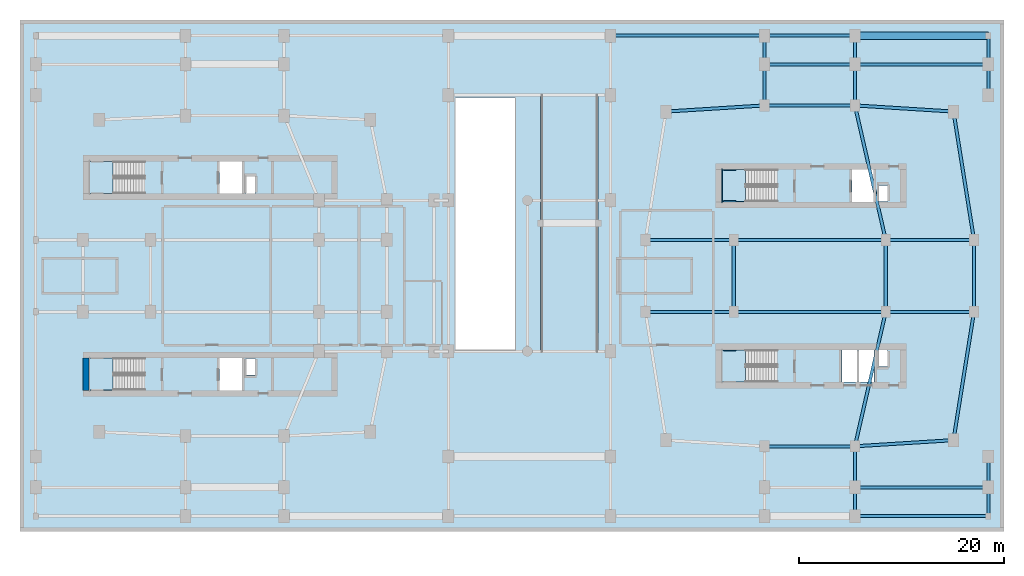
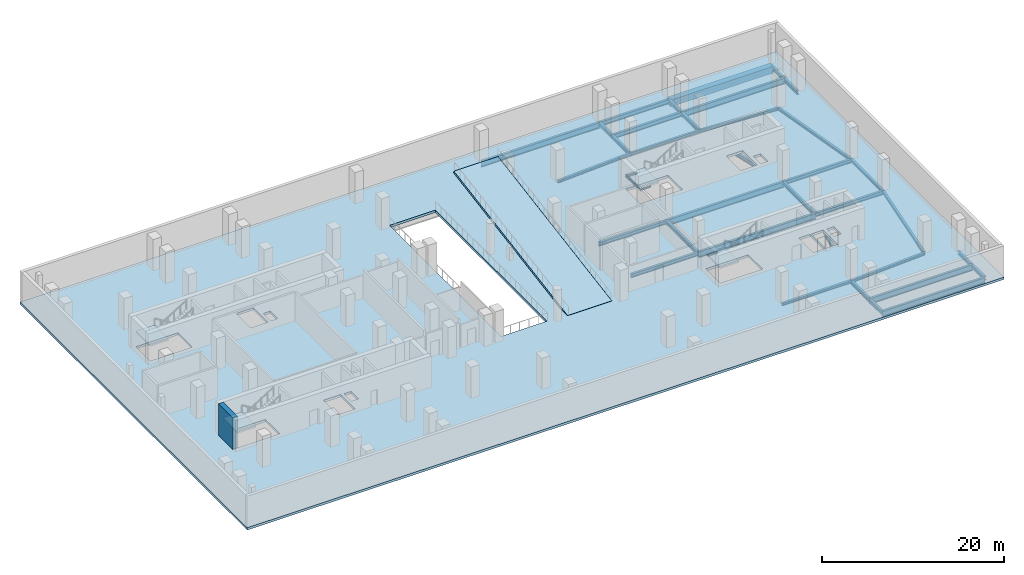
# One storey, part 3 of 13: 39 beams, 6 slabs, 1 wall, 4 elements without a shape of their own.
"""IFC4 building model written with IfcOpenShell, lengths in metres."""

import ifcopenshell
import ifcopenshell.guid

model = None  # the IFC model being written
_history = None  # IfcOwnerHistory: only IFC2X3 demands one
_inside = {}  # id of a spatial element -> (the spatial element, [elements in it])
_under = {}  # id of a project, library or spatial element -> (it, [spatial elements below it])
_declared = {}  # id of a project -> (the project, [libraries it declares])
_typed = {}  # id of a type object -> (the type object, [elements of that type])
_made_of = {}  # id of a material, layer set ... -> (it, [elements and type objects made of it])


def new_model(schema):
    """Start an empty IFC model of exactly this schema.

    Asked for "IFC4X3", IfcOpenShell would pick the latest addendum, in which some entities
    have other attributes; the version numbers below select the first issue.
    IFC2X3 requires an IfcOwnerHistory on every rooted entity: one is made here for all.
    """
    global model, _history
    if schema == "IFC4X3":
        model = ifcopenshell.file(schema_version=(4, 3, 0, 0))
    else:
        model = ifcopenshell.file(schema=schema)
    _inside.clear()
    _under.clear()
    _declared.clear()
    _typed.clear()
    _made_of.clear()
    _history = None
    if model.schema == "IFC2X3":
        org = make("IfcOrganization", Name="unknown")
        user = make(
            "IfcPersonAndOrganization",
            ThePerson=make("IfcPerson", FamilyName="unknown"),
            TheOrganization=org,
        )
        app = make(
            "IfcApplication",
            ApplicationDeveloper=org,
            Version="unknown",
            ApplicationFullName="unknown",
            ApplicationIdentifier="unknown",
        )
        _history = make(
            "IfcOwnerHistory",
            OwningUser=user,
            OwningApplication=app,
            ChangeAction="ADDED",
            CreationDate=0,
        )
    return model


def make(cls, **values):
    """One entity of the class cls with the attributes given. An attribute that is None is left unset."""
    return model.create_entity(
        cls, **{name: value for name, value in values.items() if value is not None}
    )


def rooted(cls, **values):
    """An entity with a GlobalId (a new one), such as an element, a storey or a relation."""
    return make(cls, GlobalId=ifcopenshell.guid.new(), OwnerHistory=_history, **values)


def si_unit(unit_type, name, prefix=None):
    """IfcSIUnit, for example si_unit("LENGTHUNIT", "METRE", prefix="MILLI")."""
    return make("IfcSIUnit", UnitType=unit_type, Prefix=prefix, Name=name)


def derived_unit(unit_type, elements):
    """IfcDerivedUnit: a product of units, each with its exponent."""
    return make(
        "IfcDerivedUnit",
        Elements=[
            make("IfcDerivedUnitElement", Unit=unit, Exponent=power)
            for unit, power in elements
        ],
        UnitType=unit_type,
    )


def assignment(units):
    """IfcUnitAssignment: the units of a project."""
    return None if units is None else make("IfcUnitAssignment", Units=units)


def point(xyz):
    """IfcCartesianPoint."""
    return None if xyz is None else make("IfcCartesianPoint", Coordinates=xyz)


def direction(xyz):
    """IfcDirection."""
    return None if xyz is None else make("IfcDirection", DirectionRatios=xyz)


def frame(location, z_axis=None, x_axis=None):
    """IfcAxis2Placement3D, a coordinate frame: its origin and axes. An axis left out is left unset."""
    return make(
        "IfcAxis2Placement3D",
        Location=point(location),
        Axis=direction(z_axis),
        RefDirection=direction(x_axis),
    )


def frame_2d(location, x_axis=None):
    """IfcAxis2Placement2D, a coordinate frame in the plane: its origin and x axis."""
    return make(
        "IfcAxis2Placement2D", Location=point(location), RefDirection=direction(x_axis)
    )


def origin():
    """The frame at (0, 0, 0) with its axes left unset."""
    return frame((0.0, 0.0, 0.0))


def origin_2d():
    """The frame at (0, 0) in the plane with its x axis left unset."""
    return frame_2d((0.0, 0.0))


def place(relative_to, where):
    """IfcLocalPlacement: puts the frame where relative to a parent placement (None: the world)."""
    return make(
        "IfcLocalPlacement", PlacementRelTo=relative_to, RelativePlacement=where
    )


def context(
    kind, dimensions, precision=None, world=None, true_north=None, identifier=None
):
    """IfcGeometricRepresentationContext, for example the 3D "Model" context."""
    return make(
        "IfcGeometricRepresentationContext",
        ContextIdentifier=identifier,
        ContextType=kind,
        CoordinateSpaceDimension=dimensions,
        Precision=precision,
        WorldCoordinateSystem=world,
        TrueNorth=true_north,
    )


def subcontext(parent, identifier, kind, view, scale=None):
    """IfcGeometricRepresentationSubContext, for example "Body" below "Model"."""
    return make(
        "IfcGeometricRepresentationSubContext",
        ContextIdentifier=identifier,
        ContextType=kind,
        ParentContext=parent,
        TargetScale=scale,
        TargetView=view,
    )


def project(units=None, contexts=None):
    """IfcProject with its units and contexts."""
    return rooted(
        "IfcProject",
        Name="project",
        RepresentationContexts=contexts,
        UnitsInContext=assignment(units),
    )


def spatial(cls, under=None, at=None, **own):
    """A site, building, storey or space (cls), placed at a placement, below another one or the project."""
    s = rooted(cls, ObjectPlacement=at, **own)
    if under is not None:
        _under.setdefault(under.id(), (under, []))[1].append(s)
    return s


def polyline(points):
    """IfcPolyline through the points."""
    return make("IfcPolyline", Points=[point(p) for p in points])


def profile(cls, at=None, kind="AREA", **sizes):
    """A parametric profile (cls). Its sizes go by their IFC names, for example OverallWidth=200.0."""
    return make(cls, ProfileType=kind, Position=at, **sizes)


def rectangle(**sizes):
    """IfcRectangleProfileDef."""
    return profile("IfcRectangleProfileDef", **sizes)


def i_section(**sizes):
    """IfcIShapeProfileDef."""
    return profile("IfcIShapeProfileDef", **sizes)


def outline(outer, holes=None, kind="AREA"):
    """IfcArbitraryClosedProfileDef: a profile drawn as a closed curve; with holes, ...WithVoids."""
    if holes is None:
        return make("IfcArbitraryClosedProfileDef", ProfileType=kind, OuterCurve=outer)
    return make(
        "IfcArbitraryProfileDefWithVoids",
        ProfileType=kind,
        OuterCurve=outer,
        InnerCurves=holes,
    )


def extrude(swept, where, along, depth):
    """IfcExtrudedAreaSolid: the profile swept, set in the frame where, extruded along a direction by depth."""
    return make(
        "IfcExtrudedAreaSolid",
        SweptArea=swept,
        Position=where,
        ExtrudedDirection=direction(along),
        Depth=depth,
    )


def shape(context_of_items, identifier, shape_type, items):
    """IfcShapeRepresentation: the items that make up one representation, for example the "Body"."""
    return make(
        "IfcShapeRepresentation",
        ContextOfItems=context_of_items,
        RepresentationIdentifier=identifier,
        RepresentationType=shape_type,
        Items=items,
    )


def material(Name=None, Category=None):
    """IfcMaterial."""
    return make("IfcMaterial", Name=Name, Category=Category)


def layer(
    of_material, thickness, ventilated=None, Name=None, Category=None, Priority=None
):
    """IfcMaterialLayer: one layer of a wall or slab, of a material (None: an air gap)."""
    return make(
        "IfcMaterialLayer",
        Material=of_material,
        LayerThickness=thickness,
        IsVentilated=ventilated,
        Name=Name,
        Category=Category,
        Priority=Priority,
    )


def layer_set(layers, Name=None):
    """IfcMaterialLayerSet."""
    return make("IfcMaterialLayerSet", MaterialLayers=layers, LayerSetName=Name)


def material_profile(
    of_material, cross_section, Name=None, Category=None, Priority=None
):
    """IfcMaterialProfile: a cross section and its material."""
    return make(
        "IfcMaterialProfile",
        Name=Name,
        Material=of_material,
        Profile=cross_section,
        Priority=Priority,
        Category=Category,
    )


def profile_set(profiles, Name=None, composite=None):
    """IfcMaterialProfileSet."""
    return make(
        "IfcMaterialProfileSet",
        Name=Name,
        MaterialProfiles=profiles,
        CompositeProfile=composite,
    )


def made_of(thing, what):
    """Note that an element or type object is made of a material, layer set ...; save() writes the relation."""
    if what is not None:
        _made_of.setdefault(what.id(), (what, []))[1].append(thing)
    return thing


def type_object(cls, material=None, **own):
    """A type object (cls), such as IfcWallType, which elements share."""
    return made_of(rooted(cls, **own), material)


def element(
    cls,
    number,
    at=None,
    inside=None,
    cuts=None,
    type_object=None,
    material=None,
    context=None,
    identifier="Body",
    shape_type=None,
    held_by="IfcProductDefinitionShape",
    body=None,
    shapes=None,
    **own,
):
    """One element of the class cls, such as IfcWall. Its Tag is "e" and its number.

    at: its placement. inside: the storey or other place that contains it. cuts: it is an
    opening in that element (IfcRelVoidsElement). A single representation is given by context,
    identifier, shape_type and body (its items); several are given by shapes. held_by: the class
    of the entity that holds the representations. save() writes the other relations.
    """
    e = rooted(cls, Tag="e%d" % number, ObjectPlacement=at, **own)
    if body is not None:
        shapes = [shape(context, identifier, shape_type, body)]
    if shapes is not None:
        e.Representation = make(held_by, Representations=shapes)
    if inside is not None:
        _inside.setdefault(inside.id(), (inside, []))[1].append(e)
    if cuts is not None:
        rooted(
            "IfcRelVoidsElement", RelatingBuildingElement=cuts, RelatedOpeningElement=e
        )
    if type_object is not None:
        _typed.setdefault(type_object.id(), (type_object, []))[1].append(e)
    return made_of(e, material)


def aggregate(whole, parts):
    """IfcRelAggregates: a whole, such as a stair, and the parts it consists of."""
    return rooted("IfcRelAggregates", RelatingObject=whole, RelatedObjects=parts)


def save(model, path):
    """Write the relations noted so far, then the file.

    IfcRelAggregates (storeys below a building ...), IfcRelContainedInSpatialStructure (elements
    in a storey), IfcRelDefinesByType, IfcRelAssociatesMaterial and IfcRelDeclares: one each for
    every whole, place, type object, material and project.
    """
    for whole, parts in _under.values():
        aggregate(whole, parts)
    for where, things in _inside.values():
        rooted(
            "IfcRelContainedInSpatialStructure",
            RelatedElements=things,
            RelatingStructure=where,
        )
    for kind, things in _typed.values():
        rooted("IfcRelDefinesByType", RelatedObjects=things, RelatingType=kind)
    for what, things in _made_of.values():
        rooted("IfcRelAssociatesMaterial", RelatedObjects=things, RelatingMaterial=what)
    for by, libraries in _declared.values():
        rooted("IfcRelDeclares", RelatingContext=by, RelatedDefinitions=libraries)
    model.write(path)


model = new_model("IFC4")

# Units and contexts
model_context = context("Model", 3, precision=1e-05, world=origin(), true_north=direction((0.0, 1.0)))
body_context = subcontext(model_context, "Body", "Model", "MODEL_VIEW")
ifc_project = project(units=[si_unit("LENGTHUNIT", "METRE"), si_unit("AREAUNIT", "SQUARE_METRE"), si_unit("VOLUMEUNIT", "CUBIC_METRE"), si_unit("PLANEANGLEUNIT", "RADIAN"), si_unit("MASSUNIT", "GRAM", prefix="KILO"), derived_unit("THERMALTRANSMITTANCEUNIT", [(si_unit("POWERUNIT", "WATT"), 1), (si_unit("LENGTHUNIT", "METRE"), -2), (si_unit("THERMODYNAMICTEMPERATUREUNIT", "KELVIN"), -1)])], contexts=[model_context])

# Site, building, storey
site_placement = place(None, origin())
site = spatial("IfcSite", under=ifc_project, at=site_placement, CompositionType="ELEMENT")
building_placement = place(site_placement, origin())
building = spatial("IfcBuilding", under=site, at=building_placement, Name="Kivonza Crest Hotel", CompositionType="ELEMENT")
storey_placement = place(building_placement, frame((0.0, 0.0, -4.199951171875)))
storey = spatial("IfcBuildingStorey", under=building, at=storey_placement, Name="B1", CompositionType="ELEMENT", Elevation=-4.199951171875)

# Beams
ifc_material_1 = material(Name="Steel S355", Category="steel")
ifc_material_profile_1 = material_profile(ifc_material_1, i_section(OverallWidth=0.300048828125, OverallDepth=0.360107421875, WebThickness=0.012451171875, FlangeThickness=0.0224609375, FilletRadius=0.027099609375, at=origin_2d()), Name="HEB 360")
ifc_profile_set_1 = profile_set([ifc_material_profile_1], Name="Steel S355")
beam_type_1 = type_object("IfcBeamType", Name="BM-HEB360", PredefinedType="SPANDREL", material=ifc_profile_set_1)
beam_1_placement = place(storey_placement, frame((72.60009765625, 8.39990234375, -0.5), z_axis=(1.0, 0.0, 0.0), x_axis=(0.0, 1.0, 0.0)))
element("IfcBeam", 1, at=beam_1_placement, inside=storey, type_object=beam_type_1, Name="Companion Tower T2 B1 perimeter spandrel S1-S2", PredefinedType="SPANDREL", context=body_context, shape_type="SweptSolid", body=[
    extrude(i_section(OverallWidth=0.300048828125, OverallDepth=0.360107421875, WebThickness=0.012451171875, FlangeThickness=0.0224609375, FilletRadius=0.027099609375, at=origin_2d()), origin(), (0.0, 0.0, 1.0), 8.7998046875),
])
beam_2_placement = place(storey_placement, frame((81.39990234375, 8.39990234375, -0.5), z_axis=(0.998051985873, 0.062387767186, 0.0), x_axis=(-0.062387767186, 0.998051985873, 0.0)))
element("IfcBeam", 2, at=beam_2_placement, inside=storey, type_object=beam_type_1, Name="Companion Tower T2 B1 perimeter spandrel S2-SE", PredefinedType="SPANDREL", context=body_context, shape_type="SweptSolid", body=[
    extrude(i_section(OverallWidth=0.300048828125, OverallDepth=0.360107421875, WebThickness=0.012451171875, FlangeThickness=0.0224609375, FilletRadius=0.027099609375, at=origin_2d()), origin(), (0.0, 0.0, 1.0), 9.618896484375),
])
beam_3_placement = place(storey_placement, frame((91.0, 9.0, -0.5), z_axis=(0.157990501107, 0.987440631917, 0.0), x_axis=(-0.987440631917, 0.157990501107, 0.0)))
element("IfcBeam", 3, at=beam_3_placement, inside=storey, type_object=beam_type_1, Name="Companion Tower T2 B1 perimeter spandrel SE-E1", PredefinedType="SPANDREL", context=body_context, shape_type="SweptSolid", body=[
    extrude(i_section(OverallWidth=0.300048828125, OverallDepth=0.360107421875, WebThickness=0.012451171875, FlangeThickness=0.0224609375, FilletRadius=0.027099609375, at=origin_2d()), origin(), (0.0, 0.0, 1.0), 12.658935546875),
])
beam_4_placement = place(storey_placement, frame((93.0, 21.5, -0.5), z_axis=(0.0, 1.0, 0.0), x_axis=(-1.0, 0.0, 0.0)))
element("IfcBeam", 4, at=beam_4_placement, inside=storey, type_object=beam_type_1, Name="Companion Tower T2 B1 perimeter spandrel E1-E2", PredefinedType="SPANDREL", context=body_context, shape_type="SweptSolid", body=[
    extrude(i_section(OverallWidth=0.300048828125, OverallDepth=0.360107421875, WebThickness=0.012451171875, FlangeThickness=0.0224609375, FilletRadius=0.027099609375, at=origin_2d()), origin(), (0.0, 0.0, 1.0), 7.0),
])
beam_5_placement = place(storey_placement, frame((93.0, 28.5, -0.5), z_axis=(-0.157990501107, 0.987440631917, 0.0), x_axis=(-0.987440631917, -0.157990501107, 0.0)))
element("IfcBeam", 5, at=beam_5_placement, inside=storey, type_object=beam_type_1, Name="Companion Tower T2 B1 perimeter spandrel E2-NE", PredefinedType="SPANDREL", context=body_context, shape_type="SweptSolid", body=[
    extrude(i_section(OverallWidth=0.300048828125, OverallDepth=0.360107421875, WebThickness=0.012451171875, FlangeThickness=0.0224609375, FilletRadius=0.027099609375, at=origin_2d()), origin(), (0.0, 0.0, 1.0), 12.658935546875),
])
beam_6_placement = place(storey_placement, frame((91.0, 41.0, -0.5), z_axis=(-0.998051985873, 0.062387767186, 0.0), x_axis=(-0.062387767186, -0.998051985873, 0.0)))
element("IfcBeam", 6, at=beam_6_placement, inside=storey, type_object=beam_type_1, Name="Companion Tower T2 B1 perimeter spandrel NE-N2", PredefinedType="SPANDREL", context=body_context, shape_type="SweptSolid", body=[
    extrude(i_section(OverallWidth=0.300048828125, OverallDepth=0.360107421875, WebThickness=0.012451171875, FlangeThickness=0.0224609375, FilletRadius=0.027099609375, at=origin_2d()), origin(), (0.0, 0.0, 1.0), 9.618896484375),
])
beam_7_placement = place(storey_placement, frame((81.39990234375, 41.60009765625, -0.5), z_axis=(-1.0, 0.0, 0.0), x_axis=(0.0, -1.0, 0.0)))
element("IfcBeam", 7, at=beam_7_placement, inside=storey, type_object=beam_type_1, Name="Companion Tower T2 B1 perimeter spandrel N2-N1", PredefinedType="SPANDREL", context=body_context, shape_type="SweptSolid", body=[
    extrude(i_section(OverallWidth=0.300048828125, OverallDepth=0.360107421875, WebThickness=0.012451171875, FlangeThickness=0.0224609375, FilletRadius=0.027099609375, at=origin_2d()), origin(), (0.0, 0.0, 1.0), 8.7998046875),
])
beam_8_placement = place(storey_placement, frame((72.60009765625, 41.60009765625, -0.5), z_axis=(-0.998051985873, -0.062387767186, 0.0), x_axis=(0.062387767186, -0.998051985873, 0.0)))
element("IfcBeam", 8, at=beam_8_placement, inside=storey, type_object=beam_type_1, Name="Companion Tower T2 B1 perimeter spandrel N1-NW", PredefinedType="SPANDREL", context=body_context, shape_type="SweptSolid", body=[
    extrude(i_section(OverallWidth=0.300048828125, OverallDepth=0.360107421875, WebThickness=0.012451171875, FlangeThickness=0.0224609375, FilletRadius=0.027099609375, at=origin_2d()), origin(), (0.0, 0.0, 1.0), 9.618896484375),
])
ifc_material_profile_2 = material_profile(ifc_material_1, i_section(OverallWidth=0.300048828125, OverallDepth=0.5, WebThickness=0.014404296875, FlangeThickness=0.028076171875, FilletRadius=0.027099609375, at=origin_2d()), Name="HEB 500")
ifc_profile_set_2 = profile_set([ifc_material_profile_2], Name="Steel S355")
beam_type_2 = type_object("IfcBeamType", Name="BM-HEB500", PredefinedType="BEAM", material=ifc_profile_set_2)
for number, where, z_axis, x_axis, name in (
    (9, (61.0, 21.5, -0.570068359375), (1.0, 0.0, 0.0), (0.0, 1.0, 0.0), "Companion Tower T2 B1 girder W1-WL1"),
    (10, (61.0, 28.5, -0.570068359375), (1.0, 0.0, 0.0), (0.0, 1.0, 0.0), "Companion Tower T2 B1 girder W2-WL2"),
):
    element("IfcBeam", number, at=place(storey_placement, frame(where, z_axis=z_axis, x_axis=x_axis)), inside=storey, type_object=beam_type_2, Name=name, PredefinedType="BEAM", context=body_context, shape_type="SweptSolid", body=[
        extrude(i_section(OverallWidth=0.300048828125, OverallDepth=0.5, WebThickness=0.014404296875, FlangeThickness=0.028076171875, FilletRadius=0.027099609375, at=origin_2d()), origin(), (0.0, 0.0, 1.0), 8.60009765625),
    ])
beam_9_placement = place(storey_placement, frame((69.60009765625, 21.5, -0.570068359375), z_axis=(0.0, 1.0, 0.0), x_axis=(-1.0, 0.0, 0.0)))
element("IfcBeam", 11, at=beam_9_placement, inside=storey, type_object=beam_type_2, Name="Companion Tower T2 B1 girder WL1-WL2", PredefinedType="BEAM", context=body_context, shape_type="SweptSolid", body=[
    extrude(i_section(OverallWidth=0.300048828125, OverallDepth=0.5, WebThickness=0.014404296875, FlangeThickness=0.028076171875, FilletRadius=0.027099609375, at=origin_2d()), origin(), (0.0, 0.0, 1.0), 7.0),
])
for number, where, z_axis, x_axis, name in (
    (12, (84.39990234375, 21.5, -0.570068359375), (1.0, 0.0, 0.0), (0.0, 1.0, 0.0), "Companion Tower T2 B1 girder WR1-E1"),
    (13, (84.39990234375, 28.5, -0.570068359375), (1.0, 0.0, 0.0), (0.0, 1.0, 0.0), "Companion Tower T2 B1 girder WR2-E2"),
):
    element("IfcBeam", number, at=place(storey_placement, frame(where, z_axis=z_axis, x_axis=x_axis)), inside=storey, type_object=beam_type_2, Name=name, PredefinedType="BEAM", context=body_context, shape_type="SweptSolid", body=[
        extrude(i_section(OverallWidth=0.300048828125, OverallDepth=0.5, WebThickness=0.014404296875, FlangeThickness=0.028076171875, FilletRadius=0.027099609375, at=origin_2d()), origin(), (0.0, 0.0, 1.0), 8.60009765625),
    ])
beam_10_placement = place(storey_placement, frame((84.39990234375, 21.5, -0.570068359375), z_axis=(0.0, 1.0, 0.0), x_axis=(-1.0, 0.0, 0.0)))
element("IfcBeam", 14, at=beam_10_placement, inside=storey, type_object=beam_type_2, Name="Companion Tower T2 B1 girder WR1-WR2", PredefinedType="BEAM", context=body_context, shape_type="SweptSolid", body=[
    extrude(i_section(OverallWidth=0.300048828125, OverallDepth=0.5, WebThickness=0.014404296875, FlangeThickness=0.028076171875, FilletRadius=0.027099609375, at=origin_2d()), origin(), (0.0, 0.0, 1.0), 7.0),
])
for number, where, z_axis, x_axis, name in (
    (15, (84.39990234375, 21.5, -0.570068359375), (-0.223227287589, -0.974766422317, 0.0), (0.974766422317, -0.223227287589, 0.0), "Companion Tower T2 B1 girder WR1-S2"),
    (16, (84.39990234375, 28.5, -0.570068359375), (-0.223227287589, 0.974766422317, 0.0), (-0.974766422317, -0.223227287589, 0.0), "Companion Tower T2 B1 girder WR2-N2"),
):
    element("IfcBeam", number, at=place(storey_placement, frame(where, z_axis=z_axis, x_axis=x_axis)), inside=storey, type_object=beam_type_2, Name=name, PredefinedType="BEAM", context=body_context, shape_type="SweptSolid", body=[
        extrude(i_section(OverallWidth=0.300048828125, OverallDepth=0.5, WebThickness=0.014404296875, FlangeThickness=0.028076171875, FilletRadius=0.027099609375, at=origin_2d()), origin(), (0.0, 0.0, 1.0), 13.439208984375),
    ])
beam_11_placement = place(storey_placement, frame((72.60009765625, 41.60009765625, -0.570068359375), z_axis=(0.0, 1.0, 0.0), x_axis=(-1.0, 0.0, 0.0)))
element("IfcBeam", 17, at=beam_11_placement, inside=storey, type_object=beam_type_2, Name="B1 podium girder Y 91", PredefinedType="BEAM", context=body_context, shape_type="SweptSolid", body=[
    extrude(i_section(OverallWidth=0.300048828125, OverallDepth=0.5, WebThickness=0.014404296875, FlangeThickness=0.028076171875, FilletRadius=0.027099609375, at=origin_2d()), origin(), (0.0, 0.0, 1.0), 4.0),
])
for number, where, z_axis, x_axis, name in (
    (18, (72.60009765625, 45.60009765625, -0.570068359375), (0.0, 1.0, 0.0), (-1.0, 0.0, 0.0), "B1 podium girder Y 92"),
    (19, (81.39990234375, 1.60009765625, -0.570068359375), (0.0, 1.0, 0.0), (-1.0, 0.0, 0.0), "B1 podium girder Y 93"),
):
    element("IfcBeam", number, at=place(storey_placement, frame(where, z_axis=z_axis, x_axis=x_axis)), inside=storey, type_object=beam_type_2, Name=name, PredefinedType="BEAM", context=body_context, shape_type="SweptSolid", body=[
        extrude(i_section(OverallWidth=0.300048828125, OverallDepth=0.5, WebThickness=0.014404296875, FlangeThickness=0.028076171875, FilletRadius=0.027099609375, at=origin_2d()), origin(), (0.0, 0.0, 1.0), 2.7998046875),
    ])
for number, where, z_axis, x_axis, name in (
    (20, (81.39990234375, 4.39990234375, -0.570068359375), (0.0, 1.0, 0.0), (-1.0, 0.0, 0.0), "B1 podium girder Y 94"),
    (21, (81.39990234375, 41.60009765625, -0.570068359375), (0.0, 1.0, 0.0), (-1.0, 0.0, 0.0), "B1 podium girder Y 95"),
):
    element("IfcBeam", number, at=place(storey_placement, frame(where, z_axis=z_axis, x_axis=x_axis)), inside=storey, type_object=beam_type_2, Name=name, PredefinedType="BEAM", context=body_context, shape_type="SweptSolid", body=[
        extrude(i_section(OverallWidth=0.300048828125, OverallDepth=0.5, WebThickness=0.014404296875, FlangeThickness=0.028076171875, FilletRadius=0.027099609375, at=origin_2d()), origin(), (0.0, 0.0, 1.0), 4.0),
    ])
for number, where, z_axis, x_axis, name in (
    (22, (81.39990234375, 45.60009765625, -0.570068359375), (0.0, 1.0, 0.0), (-1.0, 0.0, 0.0), "B1 podium girder Y 96"),
    (23, (94.39990234375, 1.60009765625, -0.570068359375), (0.0, 1.0, 0.0), (-1.0, 0.0, 0.0), "B1 podium girder Y 99"),
):
    element("IfcBeam", number, at=place(storey_placement, frame(where, z_axis=z_axis, x_axis=x_axis)), inside=storey, type_object=beam_type_2, Name=name, PredefinedType="BEAM", context=body_context, shape_type="SweptSolid", body=[
        extrude(i_section(OverallWidth=0.300048828125, OverallDepth=0.5, WebThickness=0.014404296875, FlangeThickness=0.028076171875, FilletRadius=0.027099609375, at=origin_2d()), origin(), (0.0, 0.0, 1.0), 2.7998046875),
    ])
for number, where, z_axis, x_axis, name in (
    (24, (94.39990234375, 4.39990234375, -0.570068359375), (0.0, 1.0, 0.0), (-1.0, 0.0, 0.0), "B1 podium girder Y 100"),
    (25, (94.39990234375, 42.60009765625, -0.570068359375), (0.0, 1.0, 0.0), (-1.0, 0.0, 0.0), "B1 podium girder Y 101"),
):
    element("IfcBeam", number, at=place(storey_placement, frame(where, z_axis=z_axis, x_axis=x_axis)), inside=storey, type_object=beam_type_2, Name=name, PredefinedType="BEAM", context=body_context, shape_type="SweptSolid", body=[
        extrude(i_section(OverallWidth=0.300048828125, OverallDepth=0.5, WebThickness=0.014404296875, FlangeThickness=0.028076171875, FilletRadius=0.027099609375, at=origin_2d()), origin(), (0.0, 0.0, 1.0), 3.0),
    ])
beam_12_placement = place(storey_placement, frame((94.39990234375, 45.60009765625, -0.570068359375), z_axis=(0.0, 1.0, 0.0), x_axis=(-1.0, 0.0, 0.0)))
element("IfcBeam", 26, at=beam_12_placement, inside=storey, type_object=beam_type_2, Name="B1 podium girder Y 102", PredefinedType="BEAM", context=body_context, shape_type="SweptSolid", body=[
    extrude(i_section(OverallWidth=0.300048828125, OverallDepth=0.5, WebThickness=0.014404296875, FlangeThickness=0.028076171875, FilletRadius=0.027099609375, at=origin_2d()), origin(), (0.0, 0.0, 1.0), 2.7998046875),
])
ifc_material_profile_3 = material_profile(ifc_material_1, i_section(OverallWidth=0.300048828125, OverallDepth=0.60009765625, WebThickness=0.015380859375, FlangeThickness=0.030029296875, FilletRadius=0.027099609375, at=origin_2d()), Name="HEB 600")
ifc_profile_set_3 = profile_set([ifc_material_profile_3], Name="Steel S355")
beam_type_3 = type_object("IfcBeamType", Name="BM-HEB600", PredefinedType="BEAM", material=ifc_profile_set_3)
for number, where, z_axis, x_axis, name in (
    (27, (72.60009765625, 45.60009765625, -0.6201171875), (1.0, 0.0, 0.0), (0.0, 1.0, 0.0), "B1 podium girder X 43"),
    (28, (72.60009765625, 48.39990234375, -0.6201171875), (1.0, 0.0, 0.0), (0.0, 1.0, 0.0), "B1 podium girder X 50"),
):
    element("IfcBeam", number, at=place(storey_placement, frame(where, z_axis=z_axis, x_axis=x_axis)), inside=storey, type_object=beam_type_3, Name=name, PredefinedType="BEAM", context=body_context, shape_type="SweptSolid", body=[
        extrude(i_section(OverallWidth=0.300048828125, OverallDepth=0.60009765625, WebThickness=0.015380859375, FlangeThickness=0.030029296875, FilletRadius=0.027099609375, at=origin_2d()), origin(), (0.0, 0.0, 1.0), 8.7998046875),
    ])
ifc_material_profile_4 = material_profile(ifc_material_1, i_section(OverallWidth=0.300048828125, OverallDepth=0.800048828125, WebThickness=0.017578125, FlangeThickness=0.032958984375, FilletRadius=0.030029296875, at=origin_2d()), Name="HEB 800")
ifc_profile_set_4 = profile_set([ifc_material_profile_4], Name="Steel S355")
beam_type_4 = type_object("IfcBeamType", Name="BM-HEB800", PredefinedType="BEAM", material=ifc_profile_set_4)
for number, where, z_axis, x_axis, name in (
    (29, (81.39990234375, 1.60009765625, -0.719970703125), (1.0, 0.0, 0.0), (0.0, 1.0, 0.0), "B1 podium girder X 7"),
    (30, (81.39990234375, 4.39990234375, -0.719970703125), (1.0, 0.0, 0.0), (0.0, 1.0, 0.0), "B1 podium girder X 11"),
):
    element("IfcBeam", number, at=place(storey_placement, frame(where, z_axis=z_axis, x_axis=x_axis)), inside=storey, type_object=beam_type_4, Name=name, PredefinedType="BEAM", context=body_context, shape_type="SweptSolid", body=[
        extrude(i_section(OverallWidth=0.300048828125, OverallDepth=0.800048828125, WebThickness=0.017578125, FlangeThickness=0.032958984375, FilletRadius=0.030029296875, at=origin_2d()), origin(), (0.0, 0.0, 1.0), 13.0),
    ])
for number, where, z_axis, x_axis, name in (
    (31, (69.60009765625, 21.5, -0.719970703125), (1.0, 0.0, 0.0), (0.0, 1.0, 0.0), "B1 podium girder X 25"),
    (32, (69.60009765625, 28.5, -0.719970703125), (1.0, 0.0, 0.0), (0.0, 1.0, 0.0), "B1 podium girder X 32"),
):
    element("IfcBeam", number, at=place(storey_placement, frame(where, z_axis=z_axis, x_axis=x_axis)), inside=storey, type_object=beam_type_4, Name=name, PredefinedType="BEAM", context=body_context, shape_type="SweptSolid", body=[
        extrude(i_section(OverallWidth=0.300048828125, OverallDepth=0.800048828125, WebThickness=0.017578125, FlangeThickness=0.032958984375, FilletRadius=0.030029296875, at=origin_2d()), origin(), (0.0, 0.0, 1.0), 14.7998046875),
    ])
beam_13_placement = place(storey_placement, frame((81.39990234375, 45.60009765625, -0.719970703125), z_axis=(1.0, 0.0, 0.0), x_axis=(0.0, 1.0, 0.0)))
element("IfcBeam", 33, at=beam_13_placement, inside=storey, type_object=beam_type_4, Name="B1 podium girder X 44", PredefinedType="BEAM", context=body_context, shape_type="SweptSolid", body=[
    extrude(i_section(OverallWidth=0.300048828125, OverallDepth=0.800048828125, WebThickness=0.017578125, FlangeThickness=0.032958984375, FilletRadius=0.030029296875, at=origin_2d()), origin(), (0.0, 0.0, 1.0), 13.0),
])
beam_14_placement = place(storey_placement, frame((57.60009765625, 48.39990234375, -0.719970703125), z_axis=(1.0, 0.0, 0.0), x_axis=(0.0, 1.0, 0.0)))
element("IfcBeam", 34, at=beam_14_placement, inside=storey, type_object=beam_type_4, Name="B1 podium girder X 49", PredefinedType="BEAM", context=body_context, shape_type="SweptSolid", body=[
    extrude(i_section(OverallWidth=0.300048828125, OverallDepth=0.800048828125, WebThickness=0.017578125, FlangeThickness=0.032958984375, FilletRadius=0.030029296875, at=origin_2d()), origin(), (0.0, 0.0, 1.0), 15.0),
])
ifc_material_profile_5 = material_profile(ifc_material_1, i_section(OverallWidth=0.1201171875, OverallDepth=0.239990234375, WebThickness=0.006103515625, FlangeThickness=0.009765625, FilletRadius=0.014892578125, at=origin_2d()), Name="IPE 240")
ifc_profile_set_5 = profile_set([ifc_material_profile_5], Name="Steel S355")
beam_type_5 = type_object("IfcBeamType", Name="BM-LLDG-240", PredefinedType="BEAM", material=ifc_profile_set_5)
beam_15_placement = place(storey_placement, frame((68.4599609375, 32.10009765625, 1.780029296875), z_axis=(0.0, 1.0, 0.0), x_axis=(-1.0, 0.0, 0.0)))
element("IfcBeam", 35, at=beam_15_placement, inside=storey, type_object=beam_type_5, Name="Stair ST-T2-N B1 West landing corbel", PredefinedType="BEAM", context=body_context, shape_type="SweptSolid", body=[
    extrude(i_section(OverallWidth=0.1201171875, OverallDepth=0.239990234375, WebThickness=0.006103515625, FlangeThickness=0.009765625, FilletRadius=0.014892578125, at=origin_2d()), origin(), (0.0, 0.0, 1.0), 3.35986328125),
])
for number, where, z_axis, x_axis, name in (
    (36, (68.590087890625, 32.260009765625, 1.780029296875), (1.0, 0.0, 0.0), (0.0, 1.0, 0.0), "Stair ST-T2-N B1 South landing corbel"),
    (37, (68.590087890625, 35.300048828125, 1.780029296875), (1.0, 0.0, 0.0), (0.0, 1.0, 0.0), "Stair ST-T2-N B1 North landing corbel"),
    (38, (68.590087890625, 17.739990234375, 1.780029296875), (1.0, 0.0, 0.0), (0.0, 1.0, 0.0), "Stair ST-T2-S B1 North landing corbel"),
):
    element("IfcBeam", number, at=place(storey_placement, frame(where, z_axis=z_axis, x_axis=x_axis)), inside=storey, type_object=beam_type_5, Name=name, PredefinedType="BEAM", context=body_context, shape_type="SweptSolid", body=[
        extrude(i_section(OverallWidth=0.1201171875, OverallDepth=0.239990234375, WebThickness=0.006103515625, FlangeThickness=0.009765625, FilletRadius=0.014892578125, at=origin_2d()), origin(), (0.0, 0.0, 1.0), 1.2099609375),
    ])
ifc_material_2 = material(Name="Concrete C40/50", Category="concrete")
ifc_material_profile_6 = material_profile(ifc_material_2, rectangle(XDim=0.75, YDim=0.89990234375, at=origin_2d()), Name="RC 900x750")
ifc_profile_set_6 = profile_set([ifc_material_profile_6], Name="Concrete C40/50")
beam_type_6 = type_object("IfcBeamType", Name="BM-RCT-900x750", PredefinedType="T_BEAM", material=ifc_profile_set_6)
beam_16_placement = place(storey_placement, frame((81.39990234375, 48.39990234375, -0.77001953125), z_axis=(1.0, 0.0, 0.0), x_axis=(0.0, 1.0, 0.0)))
element("IfcBeam", 39, at=beam_16_placement, inside=storey, type_object=beam_type_6, Name="B1 reinforced concrete T-beam 51", PredefinedType="T_BEAM", context=body_context, shape_type="SweptSolid", body=[
    extrude(rectangle(XDim=0.75, YDim=0.89990234375, at=origin_2d()), origin(), (0.0, 0.0, 1.0), 13.0),
])

# Slab
ifc_layer_1 = layer(ifc_material_2, 0.320068359375)
ifc_layer_set_1 = layer_set([ifc_layer_1], Name="Concrete C40/50")
slab_type_1 = type_object("IfcSlabType", Name="SL-CAR-320", PredefinedType="FLOOR", material=ifc_layer_set_1)
slab_1_placement = place(storey_placement, frame((0.0, 0.0, -0.320068359375)))
element("IfcSlab", 40, at=slab_1_placement, inside=storey, type_object=slab_type_1, Name="B1 structural floor plate", PredefinedType="FLOOR", context=body_context, shape_type="SweptSolid", body=[
    extrude(outline(polyline([(0.080078125, 0.080078125), (95.919921875, 0.080078125), (95.919921875, 49.919921875), (0.080078125, 49.919921875), (0.080078125, 0.080078125)]), holes=[polyline([(6.800048828125, 33.02001953125), (12.159912109375, 33.02001953125), (12.159912109375, 36.159912109375), (6.800048828125, 36.159912109375), (6.800048828125, 33.02001953125)]), polyline([(6.800048828125, 13.860107421875), (12.159912109375, 13.860107421875), (12.159912109375, 17.0), (6.800048828125, 17.0), (6.800048828125, 13.860107421875)]), polyline([(68.39990234375, 32.219970703125), (73.760009765625, 32.219970703125), (73.760009765625, 35.360107421875), (68.39990234375, 35.360107421875), (68.39990234375, 32.219970703125)]), polyline([(68.39990234375, 14.659912109375), (73.760009765625, 14.659912109375), (73.760009765625, 17.800048828125), (68.39990234375, 17.800048828125), (68.39990234375, 14.659912109375)]), polyline([(22.080078125, 33.0400390625), (22.969970703125, 33.0400390625), (22.969970703125, 34.679931640625), (22.080078125, 34.679931640625), (22.080078125, 33.0400390625)]), polyline([(22.080078125, 15.320068359375), (22.969970703125, 15.320068359375), (22.969970703125, 16.9599609375), (22.080078125, 16.9599609375), (22.080078125, 15.320068359375)]), polyline([(83.679931640625, 32.239990234375), (84.570068359375, 32.239990234375), (84.570068359375, 33.820068359375), (83.679931640625, 33.820068359375), (83.679931640625, 32.239990234375)]), polyline([(83.679931640625, 16.179931640625), (84.570068359375, 16.179931640625), (84.570068359375, 17.760009765625), (83.679931640625, 17.760009765625), (83.679931640625, 16.179931640625)]), polyline([(19.5, 33.0), (21.699951171875, 33.0), (21.699951171875, 36.159912109375), (19.5, 36.159912109375), (19.5, 33.0)]), polyline([(19.5, 13.840087890625), (21.699951171875, 13.840087890625), (21.699951171875, 17.0), (19.5, 17.0), (19.5, 13.840087890625)]), polyline([(81.10009765625, 32.199951171875), (83.199951171875, 32.199951171875), (83.199951171875, 35.360107421875), (81.10009765625, 35.360107421875), (81.10009765625, 32.199951171875)]), polyline([(80.159912109375, 14.639892578125), (81.639892578125, 14.639892578125), (81.639892578125, 17.800048828125), (80.159912109375, 17.800048828125), (80.159912109375, 14.639892578125)]), polyline([(81.760009765625, 14.639892578125), (83.239990234375, 14.639892578125), (83.239990234375, 17.800048828125), (81.760009765625, 17.800048828125), (81.760009765625, 14.639892578125)]), polyline([(42.5, 17.85009765625), (48.300048828125, 17.85009765625), (48.300048828125, 42.35009765625), (42.5, 42.35009765625), (42.5, 17.85009765625)]), polyline([(50.780029296875, 17.6298828125), (56.419921875, 17.6298828125), (56.419921875, 19.449951171875), (50.780029296875, 19.449951171875), (50.780029296875, 17.6298828125)])]), origin(), (0.0, 0.0, 1.0), 0.320068359375),
])

# Stair, slab
stair_type = type_object("IfcStairType", Name="ST-DL-24R", PredefinedType="HALF_TURN_STAIR", material=ifc_material_2)
stair_1_placement = place(storey_placement, origin())
stair_1 = element("IfcStair", 41, at=stair_1_placement, inside=storey, type_object=stair_type, Name="B1 Protected Exit Stair ST-T1-N", PredefinedType="HALF_TURN_STAIR")
ifc_layer_2 = layer(ifc_material_2, 0.199951171875)
ifc_layer_set_2 = layer_set([ifc_layer_2], Name="Concrete C40/50")
slab_type_2 = type_object("IfcSlabType", Name="SL-LAND-200", PredefinedType="LANDING", material=ifc_layer_set_2)
slab_2_placement = place(storey_placement, frame((0.0, 0.0, 1.89990234375)))
slab_2 = element("IfcSlab", 42, at=slab_2_placement, type_object=slab_type_2, Name="ST-T1-N landing 1", PredefinedType="LANDING", context=body_context, shape_type="SweptSolid", body=[
    extrude(outline(polyline([(9.159912109375, 36.159912109375), (6.800048828125, 36.159912109375), (6.800048828125, 33.02001953125), (9.159912109375, 33.02001953125), (9.159912109375, 36.159912109375)])), origin(), (0.0, 0.0, 1.0), 0.199951171875),
])
aggregate(stair_1, [slab_2])

stair_2_placement = place(storey_placement, origin())
stair_2 = element("IfcStair", 43, at=stair_2_placement, inside=storey, type_object=stair_type, Name="B1 Protected Exit Stair ST-T1-S", PredefinedType="HALF_TURN_STAIR")
slab_3_placement = place(storey_placement, frame((0.0, 0.0, 1.89990234375)))
slab_3 = element("IfcSlab", 44, at=slab_3_placement, type_object=slab_type_2, Name="ST-T1-S landing 1", PredefinedType="LANDING", context=body_context, shape_type="SweptSolid", body=[
    extrude(outline(polyline([(9.159912109375, 17.0), (6.800048828125, 17.0), (6.800048828125, 13.860107421875), (9.159912109375, 13.860107421875), (9.159912109375, 17.0)])), origin(), (0.0, 0.0, 1.0), 0.199951171875),
])
aggregate(stair_2, [slab_3])

stair_3_placement = place(storey_placement, origin())
stair_3 = element("IfcStair", 45, at=stair_3_placement, inside=storey, type_object=stair_type, Name="B1 Protected Exit Stair ST-T2-N", PredefinedType="HALF_TURN_STAIR")
slab_4_placement = place(storey_placement, frame((0.0, 0.0, 1.89990234375)))
slab_4 = element("IfcSlab", 46, at=slab_4_placement, type_object=slab_type_2, Name="ST-T2-N landing 1", PredefinedType="LANDING", context=body_context, shape_type="SweptSolid", body=[
    extrude(outline(polyline([(70.760009765625, 35.360107421875), (68.39990234375, 35.360107421875), (68.39990234375, 32.219970703125), (70.760009765625, 32.219970703125), (70.760009765625, 35.360107421875)])), origin(), (0.0, 0.0, 1.0), 0.199951171875),
])
aggregate(stair_3, [slab_4])

stair_4_placement = place(storey_placement, origin())
stair_4 = element("IfcStair", 47, at=stair_4_placement, inside=storey, type_object=stair_type, Name="B1 Protected Exit Stair ST-T2-S", PredefinedType="HALF_TURN_STAIR")
slab_5_placement = place(storey_placement, frame((0.0, 0.0, 1.89990234375)))
slab_5 = element("IfcSlab", 48, at=slab_5_placement, type_object=slab_type_2, Name="ST-T2-S landing 1", PredefinedType="LANDING", context=body_context, shape_type="SweptSolid", body=[
    extrude(outline(polyline([(70.760009765625, 17.800048828125), (68.39990234375, 17.800048828125), (68.39990234375, 14.659912109375), (70.760009765625, 14.659912109375), (70.760009765625, 17.800048828125)])), origin(), (0.0, 0.0, 1.0), 0.199951171875),
])
aggregate(stair_4, [slab_5])

# Slab
ifc_layer_3 = layer(ifc_material_2, 0.280029296875)
ifc_layer_set_3 = layer_set([ifc_layer_3], Name="Concrete C40/50")
slab_type_3 = type_object("IfcSlabType", Name="SL-VRMP-280", PredefinedType="FLOOR", material=ifc_layer_set_3)
slab_6_placement = place(storey_placement, frame((50.800048828125, 17.64990234375, 0.0), z_axis=(0.0, -0.165997957239, 0.986126096497), x_axis=(1.0, 0.0, 0.0)))
element("IfcSlab", 49, at=slab_6_placement, inside=storey, type_object=slab_type_3, Name="Car park vehicle ramp slab B1 to L00", PredefinedType="FLOOR", context=body_context, shape_type="SweptSolid", body=[
    extrude(outline(polyline([(0.0, 0.0), (5.599853515625, 0.0), (5.599853515625, 25.301222025389034), (0.0, 25.301222025389034), (0.0, 0.0)])), origin(), (0.0, 0.0, -1.0), 0.280029296875),
])

# Wall
ifc_material_3 = material(Name="Concrete C60/75", Category="concrete")
ifc_layer_4 = layer(ifc_material_3, 0.60009765625)
ifc_layer_set_4 = layer_set([ifc_layer_4], Name="Concrete C60/75")
wall_type = type_object("IfcWallType", Name="WL-CORE-600", PredefinedType="SHEAR", material=ifc_layer_set_4)
wall_placement = place(storey_placement, frame((6.5, 13.840087890625, 0.0), z_axis=(0.0, 0.0, 1.0), x_axis=(0.0, 1.0, 0.0)))
element("IfcWall", 50, at=wall_placement, inside=storey, type_object=wall_type, Name="Core wall T1-S West B1", PredefinedType="SHEAR", context=body_context, shape_type="SweptSolid", body=[
    extrude(rectangle(XDim=3.159912109375, YDim=0.60009765625, at=frame_2d((1.580078125, 0.0))), origin(), (0.0, 0.0, 1.0), 4.199951171875),
])

save(model, "model.ifc")
